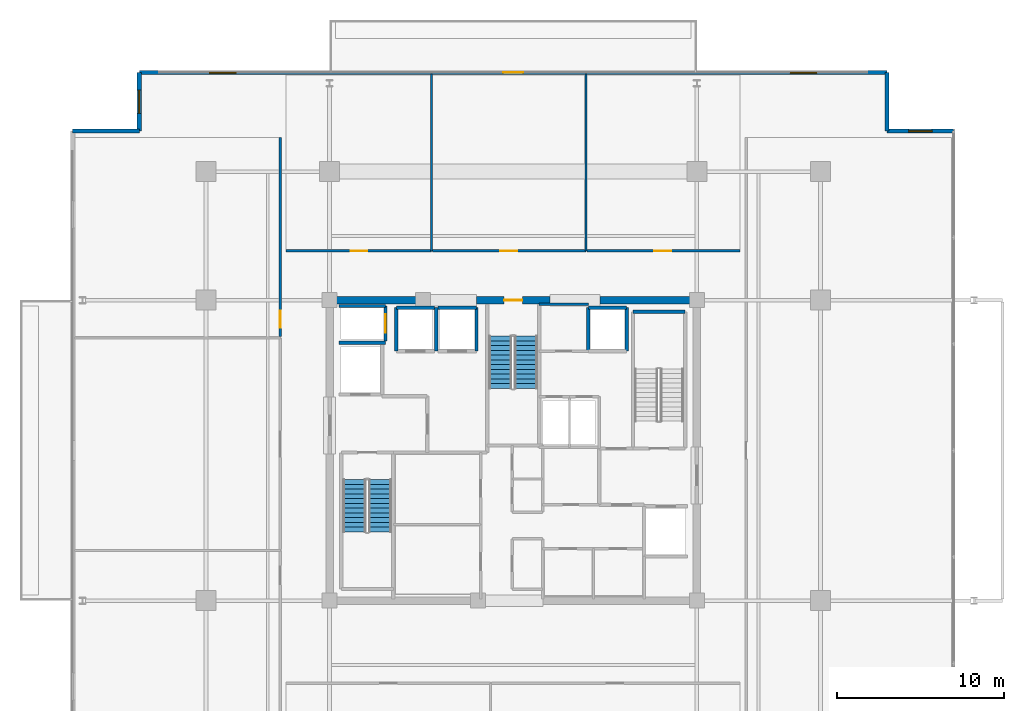
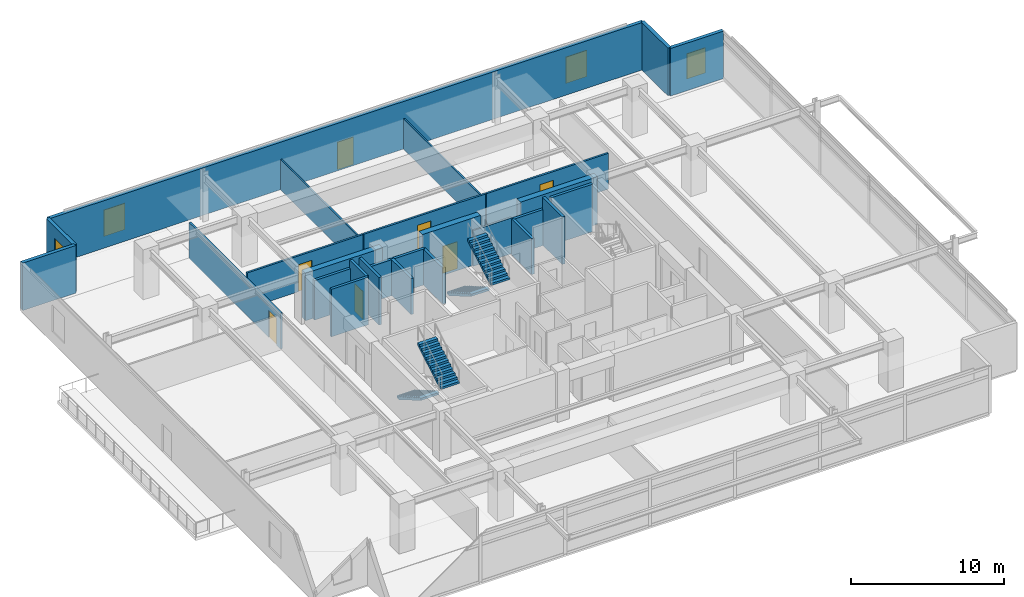
# One storey, part 14 of 19: 27 walls, 7 doors, 4 stair flights, 4 windows, 11 openings, 2 elements without a shape of their own.
"""IFC4 building model written with IfcOpenShell, lengths in metres."""

from ifc_helpers import new_model, si_unit, direction, frame, frame_2d, origin, place, context, subcontext, project, spatial, polyline, rectangle, outline, extrude, material, layer, layer_set, type_object, element, fill, aggregate, save


model = new_model("IFC4")

# Units and contexts
model_context = context("Model", 3, precision=1e-05, world=origin(), true_north=direction((0.0, 1.0)))
body_context = subcontext(model_context, "Body", "Model", "MODEL_VIEW")
ifc_project = project(units=[si_unit("LENGTHUNIT", "METRE"), si_unit("AREAUNIT", "SQUARE_METRE"), si_unit("VOLUMEUNIT", "CUBIC_METRE"), si_unit("PLANEANGLEUNIT", "RADIAN"), si_unit("MASSUNIT", "GRAM", prefix="KILO")], contexts=[model_context])

# Site, building, storey
site_placement = place(None, origin())
site = spatial("IfcSite", under=ifc_project, at=site_placement, CompositionType="ELEMENT")
building_placement = place(site_placement, origin())
building = spatial("IfcBuilding", under=site, at=building_placement, Name="Kovane Verandah Tower", CompositionType="ELEMENT")
storey_placement = place(building_placement, frame((0.0, 0.0, 255.199951171875)))
storey = spatial("IfcBuildingStorey", under=building, at=storey_placement, Name="L59", CompositionType="ELEMENT", Elevation=255.199951171875)

# Wall
ifc_material_1 = material(Name="Fire-Rated Gypsum Stud Partition", Category="gypsum")
ifc_layer_1 = layer(ifc_material_1, 0.14990234375)
ifc_layer_set_1 = layer_set([ifc_layer_1], Name="Fire-Rated Gypsum Stud Partition")
wall_type_1 = type_object("IfcWallType", Name="WL-COR-150", PredefinedType="PARTITIONING", material=ifc_layer_set_1)
wall_1_placement = place(storey_placement, frame((41.56005859375, 36.25, 0.0), z_axis=(0.0, 0.0, 1.0), x_axis=(1.0, 0.0, 0.0)))
element("IfcWall", 1, at=wall_1_placement, inside=storey, type_object=wall_type_1, Name="L59 Sky Telecom Riser North Wall", PredefinedType="PARTITIONING", context=body_context, shape_type="SweptSolid", body=[
    extrude(rectangle(XDim=2.93994140625, YDim=0.14990234375, at=frame_2d((1.469970703125, 0.0))), origin(), (0.0, 0.0, 1.0), 2.85009765625),
])

# Wall, opening, door
wall_2_placement = place(storey_placement, frame((26.39990234375, 39.449951171875, 0.0), z_axis=(0.0, 0.0, 1.0), x_axis=(1.0, 0.0, 0.0)))
wall_2 = element("IfcWall", 2, at=wall_2_placement, inside=storey, type_object=wall_type_1, Name="L59 Focus Studio N1 Corridor Partition", PredefinedType="PARTITIONING", context=body_context, shape_type="SweptSolid", body=[
    extrude(rectangle(XDim=8.7041015625, YDim=0.14990234375, at=frame_2d((4.35205078125, 0.0))), origin(), (0.0, 0.0, 1.0), 2.85009765625),
])
opening_1_placement = place(wall_2_placement, frame((3.866943359375, 0.0, 0.0)))
opening_1 = element("IfcOpeningElement", 3, at=opening_1_placement, cuts=wall_2, Name="Opening DR-L59-020", PredefinedType="OPENING", context=body_context, shape_type="SweptSolid", body=[
    extrude(rectangle(XDim=1.0, YDim=2.14990234375, at=frame_2d((0.5, 1.074951171875))), frame((0.0, 0.074951171875, 0.0), z_axis=(0.0, -1.0, 0.0), x_axis=(1.0, 0.0, 0.0)), (0.0, 0.0, 1.0), 0.14990234375),
])
ifc_material_2 = material(Name="FSC Spotted-Gum Timber Fire-Rated Office Door", Category="wood")
door_type_1 = type_object("IfcDoorType", Name="DR-OFF-1000", OperationType="SINGLE_SWING_LEFT", PredefinedType="DOOR", material=ifc_material_2)
door_1_placement = place(opening_1_placement, origin())
door_1 = element("IfcDoor", 4, at=door_1_placement, inside=storey, type_object=door_type_1, Name="L59 Focus Studio N1 Entrance Door", OperationType="SINGLE_SWING_RIGHT", OverallHeight=2.14990234375, OverallWidth=1.0, PredefinedType="DOOR", context=body_context, shape_type="SweptSolid", body=[
    extrude(rectangle(XDim=1.0, YDim=2.14990234375, at=frame_2d((0.5, 1.074951171875))), frame((0.0, 0.02490234375, 0.0), z_axis=(0.0, -1.0, 0.0), x_axis=(1.0, 0.0, 0.0)), (0.0, 0.0, 1.0), 0.050048828125),
])
fill(opening_1, door_1)

wall_3_placement = place(storey_placement, frame((35.174072265625, 39.449951171875, 0.0), z_axis=(0.0, 0.0, 1.0), x_axis=(1.0, 0.0, 0.0)))
wall_3 = element("IfcWall", 5, at=wall_3_placement, inside=storey, type_object=wall_type_1, Name="L59 Breakout Pantry N2 Corridor Partition", PredefinedType="PARTITIONING", context=body_context, shape_type="SweptSolid", body=[
    extrude(rectangle(XDim=9.177978515625, YDim=0.14990234375, at=frame_2d((4.5888671875, 0.0))), origin(), (0.0, 0.0, 1.0), 2.85009765625),
])
opening_2_placement = place(wall_3_placement, frame((4.053955078125, 0.0, 0.0)))
opening_2 = element("IfcOpeningElement", 6, at=opening_2_placement, cuts=wall_3, Name="Opening DR-L59-021", PredefinedType="OPENING", context=body_context, shape_type="SweptSolid", body=[
    extrude(rectangle(XDim=1.0, YDim=2.14990234375, at=frame_2d((0.5, 1.074951171875))), frame((0.0, 0.074951171875, 0.0), z_axis=(0.0, -1.0, 0.0), x_axis=(1.0, 0.0, 0.0)), (0.0, 0.0, 1.0), 0.14990234375),
])
door_2_placement = place(opening_2_placement, origin())
door_2 = element("IfcDoor", 7, at=door_2_placement, inside=storey, type_object=door_type_1, Name="L59 Breakout Pantry N2 Entrance Door", OperationType="SINGLE_SWING_LEFT", OverallHeight=2.14990234375, OverallWidth=1.0, PredefinedType="DOOR", context=body_context, shape_type="SweptSolid", body=[
    extrude(rectangle(XDim=1.0, YDim=2.14990234375, at=frame_2d((0.5, 1.074951171875))), frame((0.0, 0.02490234375, 0.0), z_axis=(0.0, -1.0, 0.0), x_axis=(1.0, 0.0, 0.0)), (0.0, 0.0, 1.0), 0.050048828125),
])
fill(opening_2, door_2)

wall_4_placement = place(storey_placement, frame((44.422119140625, 39.449951171875, 0.0), z_axis=(0.0, 0.0, 1.0), x_axis=(1.0, 0.0, 0.0)))
wall_4 = element("IfcWall", 8, at=wall_4_placement, inside=storey, type_object=wall_type_1, Name="L59 Collaboration Hub N3 Corridor Partition", PredefinedType="PARTITIONING", context=body_context, shape_type="SweptSolid", body=[
    extrude(rectangle(XDim=9.177978515625, YDim=0.14990234375, at=frame_2d((4.5888671875, 0.0))), origin(), (0.0, 0.0, 1.0), 2.85009765625),
])
opening_3_placement = place(wall_4_placement, frame((4.0390625, 0.0, 0.0)))
opening_3 = element("IfcOpeningElement", 9, at=opening_3_placement, cuts=wall_4, Name="Opening DR-L59-022", PredefinedType="OPENING", context=body_context, shape_type="SweptSolid", body=[
    extrude(rectangle(XDim=1.0, YDim=2.14990234375, at=frame_2d((0.5, 1.074951171875))), frame((0.0, 0.074951171875, 0.0), z_axis=(0.0, -1.0, 0.0), x_axis=(1.0, 0.0, 0.0)), (0.0, 0.0, 1.0), 0.14990234375),
])
door_3_placement = place(opening_3_placement, origin())
door_3 = element("IfcDoor", 10, at=door_3_placement, inside=storey, type_object=door_type_1, Name="L59 Collaboration Hub N3 Entrance Door", OperationType="SINGLE_SWING_RIGHT", OverallHeight=2.14990234375, OverallWidth=1.0, PredefinedType="DOOR", context=body_context, shape_type="SweptSolid", body=[
    extrude(rectangle(XDim=1.0, YDim=2.14990234375, at=frame_2d((0.5, 1.074951171875))), frame((0.0, 0.02490234375, 0.0), z_axis=(0.0, -1.0, 0.0), x_axis=(1.0, 0.0, 0.0)), (0.0, 0.0, 1.0), 0.050048828125),
])
fill(opening_3, door_3)

wall_5_placement = place(storey_placement, frame((26.050048828125, 34.3154296875, 0.0), z_axis=(0.0, 0.0, 1.0), x_axis=(0.0, 1.0, 0.0)))
wall_5 = element("IfcWall", 11, at=wall_5_placement, inside=storey, type_object=wall_type_1, Name="L59 Meeting Room W3 Corridor Partition", PredefinedType="PARTITIONING", context=body_context, shape_type="SweptSolid", body=[
    extrude(rectangle(XDim=11.922119140625, YDim=0.14990234375, at=frame_2d((5.9609375, 0.0))), origin(), (0.0, 0.0, 1.0), 2.85009765625),
])
opening_4_placement = place(wall_5_placement, frame((0.542236328125, 0.0, 0.0)))
opening_4 = element("IfcOpeningElement", 12, at=opening_4_placement, cuts=wall_5, Name="Opening DR-L59-030", PredefinedType="OPENING", context=body_context, shape_type="SweptSolid", body=[
    extrude(rectangle(XDim=1.0, YDim=2.14990234375, at=frame_2d((0.5, 1.074951171875))), frame((0.0, 0.074951171875, 0.0), z_axis=(0.0, -1.0, 0.0), x_axis=(1.0, 0.0, 0.0)), (0.0, 0.0, 1.0), 0.14990234375),
])
door_4_placement = place(opening_4_placement, origin())
door_4 = element("IfcDoor", 13, at=door_4_placement, inside=storey, type_object=door_type_1, Name="L59 Meeting Room W3 Entrance Door", OperationType="SINGLE_SWING_LEFT", OverallHeight=2.14990234375, OverallWidth=1.0, PredefinedType="DOOR", context=body_context, shape_type="SweptSolid", body=[
    extrude(rectangle(XDim=1.0, YDim=2.14990234375, at=frame_2d((0.5, 1.074951171875))), frame((0.0, 0.02490234375, 0.0), z_axis=(0.0, -1.0, 0.0), x_axis=(1.0, 0.0, 0.0)), (0.0, 0.0, 1.0), 0.050048828125),
])
fill(opening_4, door_4)

# Wall
ifc_material_3 = material(Name="Concrete C60/75", Category="concrete")
ifc_layer_2 = layer(ifc_material_3, 0.449951171875)
ifc_layer_set_2 = layer_set([ifc_layer_2], Name="Concrete C60/75")
wall_type_2 = type_object("IfcWallType", Name="WL-CORE-450", PredefinedType="SHEAR", material=ifc_layer_set_2)
wall_6_placement = place(storey_placement, frame((29.0, 36.5, 0.0), z_axis=(0.0, 0.0, 1.0), x_axis=(1.0, 0.0, 0.0)))
element("IfcWall", 14, at=wall_6_placement, inside=storey, type_object=wall_type_2, Name="L59 Core Shear Wall CN-1", PredefinedType="SHEAR", context=body_context, shape_type="SweptSolid", body=[
    extrude(rectangle(XDim=5.800048828125, YDim=0.449951171875, at=frame_2d((2.89990234375, 0.0))), origin(), (0.0, 0.0, 1.0), 3.78515625),
])

# Wall, opening, door
wall_7_placement = place(storey_placement, frame((37.800048828125, 36.5, 0.0), z_axis=(0.0, 0.0, 1.0), x_axis=(1.0, 0.0, 0.0)))
wall_7 = element("IfcWall", 15, at=wall_7_placement, inside=storey, type_object=wall_type_2, Name="L59 Core Shear Wall CN-2", PredefinedType="SHEAR", context=body_context, shape_type="SweptSolid", body=[
    extrude(rectangle(XDim=4.39990234375, YDim=0.449951171875, at=frame_2d((2.199951171875, 0.0))), origin(), (0.0, 0.0, 1.0), 3.78515625),
])
opening_5_placement = place(wall_7_placement, frame((1.64990234375, 0.0, 0.0)))
opening_5 = element("IfcOpeningElement", 16, at=opening_5_placement, cuts=wall_7, Name="Opening DR-L59-010", PredefinedType="OPENING", context=body_context, shape_type="SweptSolid", body=[
    extrude(rectangle(XDim=1.10009765625, YDim=2.14990234375, at=frame_2d((0.550048828125, 1.074951171875))), frame((0.0, 0.22509765625, 0.0), z_axis=(0.0, -1.0, 0.0), x_axis=(1.0, 0.0, 0.0)), (0.0, 0.0, 1.0), 0.449951171875),
])
ifc_material_4 = material(Name="Fire-Rated Steel Exit Door", Category="steel")
door_type_2 = type_object("IfcDoorType", Name="DR-STAIR-1100", OperationType="SINGLE_SWING_LEFT", PredefinedType="DOOR", material=ifc_material_4)
door_5_placement = place(opening_5_placement, origin())
door_5 = element("IfcDoor", 17, at=door_5_placement, inside=storey, type_object=door_type_2, Name="L59 ST-03 Fire Exit Stair Door", OperationType="SINGLE_SWING_RIGHT", OverallHeight=2.14990234375, OverallWidth=1.10009765625, PredefinedType="DOOR", context=body_context, shape_type="SweptSolid", body=[
    extrude(rectangle(XDim=1.10009765625, YDim=2.14990234375, at=frame_2d((0.550048828125, 1.074951171875))), frame((0.0, 0.02490234375, 0.0), z_axis=(0.0, -1.0, 0.0), x_axis=(1.0, 0.0, 0.0)), (0.0, 0.0, 1.0), 0.050048828125),
])
fill(opening_5, door_5)

# Walls
wall_8_placement = place(storey_placement, frame((45.199951171875, 36.5, 0.0), z_axis=(0.0, 0.0, 1.0), x_axis=(1.0, 0.0, 0.0)))
element("IfcWall", 18, at=wall_8_placement, inside=storey, type_object=wall_type_2, Name="L59 Core Shear Wall CN-3", PredefinedType="SHEAR", context=body_context, shape_type="SweptSolid", body=[
    extrude(rectangle(XDim=5.800048828125, YDim=0.449951171875, at=frame_2d((2.89990234375, 0.0))), origin(), (0.0, 0.0, 1.0), 3.78515625),
])
ifc_material_5 = material(Name="Concrete C45/55 Lift Shaft Wall", Category="concrete")
ifc_layer_3 = layer(ifc_material_5, 0.199951171875)
ifc_layer_set_3 = layer_set([ifc_layer_3], Name="Concrete C45/55 Lift Shaft Wall")
wall_type_3 = type_object("IfcWallType", Name="WL-LIFT-200", PredefinedType="SOLIDWALL", material=ifc_layer_set_3)
wall_9_placement = place(storey_placement, frame((29.550048828125, 33.949951171875, 0.0), z_axis=(0.0, 0.0, 1.0), x_axis=(1.0, 0.0, 0.0)))
element("IfcWall", 19, at=wall_9_placement, inside=storey, type_object=wall_type_3, Name="L59 Lift FL-01 and GL-01 Shared Shaft Wall", PredefinedType="SOLIDWALL", context=body_context, shape_type="SweptSolid", body=[
    extrude(rectangle(XDim=2.800048828125, YDim=0.199951171875, at=frame_2d((1.39990234375, 0.0))), origin(), (0.0, 0.0, 1.0), 3.78515625),
])
wall_10_placement = place(storey_placement, frame((32.35009765625, 36.14990234375, 0.0), z_axis=(0.0, 0.0, 1.0), x_axis=(-1.0, 0.0, 0.0)))
element("IfcWall", 20, at=wall_10_placement, inside=storey, type_object=wall_type_3, Name="L59 Lift GL-01 N Shaft Wall", PredefinedType="SOLIDWALL", context=body_context, shape_type="SweptSolid", body=[
    extrude(rectangle(XDim=2.800048828125, YDim=0.199951171875, at=frame_2d((1.39990234375, 0.0))), origin(), (0.0, 0.0, 1.0), 3.14794921875),
])

# Wall, opening, door
wall_11_placement = place(storey_placement, frame((32.35009765625, 34.050048828125, 0.0), z_axis=(0.0, 0.0, 1.0), x_axis=(0.0, 1.0, 0.0)))
wall_11 = element("IfcWall", 21, at=wall_11_placement, inside=storey, type_object=wall_type_3, Name="L59 Lift GL-01 E Shaft Wall", PredefinedType="SOLIDWALL", context=body_context, shape_type="SweptSolid", body=[
    extrude(rectangle(XDim=2.099853515625, YDim=0.199951171875, at=frame_2d((1.0498046875, 0.0))), origin(), (0.0, 0.0, 1.0), 3.78515625),
])
opening_6_placement = place(wall_11_placement, frame((0.5, 0.0, 0.0)))
opening_6 = element("IfcOpeningElement", 22, at=opening_6_placement, cuts=wall_11, Name="Opening LD-L59-003", PredefinedType="OPENING", context=body_context, shape_type="SweptSolid", body=[
    extrude(rectangle(XDim=1.10009765625, YDim=2.199951171875, at=frame_2d((0.550048828125, 1.10009765625))), frame((0.0, 0.10009765625, 0.0), z_axis=(0.0, -1.0, 0.0), x_axis=(1.0, 0.0, 0.0)), (0.0, 0.0, 1.0), 0.199951171875),
])
ifc_material_6 = material(Name="Brushed Stainless Steel Sliding Lift Landing Door", Category="steel")
door_type_3 = type_object("IfcDoorType", Name="DR-LIFT-1100", OperationType="SLIDING_TO_RIGHT", PredefinedType="DOOR", material=ifc_material_6)
door_6_placement = place(opening_6_placement, origin())
door_6 = element("IfcDoor", 23, at=door_6_placement, inside=storey, type_object=door_type_3, Name="L59 Lift GL-01 Sliding Landing Door", OperationType="SLIDING_TO_RIGHT", OverallHeight=2.199951171875, OverallWidth=1.10009765625, PredefinedType="DOOR", context=body_context, shape_type="SweptSolid", body=[
    extrude(rectangle(XDim=1.10009765625, YDim=2.199951171875, at=frame_2d((0.550048828125, 1.10009765625))), frame((0.0, 0.02490234375, 0.0), z_axis=(0.0, -1.0, 0.0), x_axis=(1.0, 0.0, 0.0)), (0.0, 0.0, 1.0), 0.050048828125),
])
fill(opening_6, door_6)

# Walls
wall_12_placement = place(storey_placement, frame((35.300048828125, 36.050048828125, 0.0), z_axis=(0.0, 0.0, 1.0), x_axis=(-1.0, 0.0, 0.0)))
element("IfcWall", 24, at=wall_12_placement, inside=storey, type_object=wall_type_3, Name="L59 Lift PL-H1 N Shaft Wall", PredefinedType="SOLIDWALL", context=body_context, shape_type="SweptSolid", body=[
    extrude(rectangle(XDim=2.300048828125, YDim=0.199951171875, at=frame_2d((1.14990234375, 0.0))), origin(), (0.0, 0.0, 1.0), 2.864990234375),
])
wall_13_placement = place(storey_placement, frame((33.0, 36.050048828125, 0.0), z_axis=(0.0, 0.0, 1.0), x_axis=(0.0, -1.0, 0.0)))
element("IfcWall", 25, at=wall_13_placement, inside=storey, type_object=wall_type_3, Name="L59 Lift PL-H1 W Shaft Wall", PredefinedType="SOLIDWALL", context=body_context, shape_type="SweptSolid", body=[
    extrude(rectangle(XDim=2.60009765625, YDim=0.199951171875, at=frame_2d((1.300048828125, 0.0))), origin(), (0.0, 0.0, 1.0), 3.78515625),
])
wall_14_placement = place(storey_placement, frame((35.39990234375, 33.449951171875, 0.0), z_axis=(0.0, 0.0, 1.0), x_axis=(0.0, 1.0, 0.0)))
element("IfcWall", 26, at=wall_14_placement, inside=storey, type_object=wall_type_3, Name="L59 Lift PL-H1 and PL-H2 Shared Shaft Wall", PredefinedType="SOLIDWALL", context=body_context, shape_type="SweptSolid", body=[
    extrude(rectangle(XDim=2.60009765625, YDim=0.199951171875, at=frame_2d((1.300048828125, 0.0))), origin(), (0.0, 0.0, 1.0), 2.864990234375),
])
wall_15_placement = place(storey_placement, frame((37.800048828125, 36.050048828125, 0.0), z_axis=(0.0, 0.0, 1.0), x_axis=(-1.0, 0.0, 0.0)))
element("IfcWall", 27, at=wall_15_placement, inside=storey, type_object=wall_type_3, Name="L59 Lift PL-H2 N Shaft Wall", PredefinedType="SOLIDWALL", context=body_context, shape_type="SweptSolid", body=[
    extrude(rectangle(XDim=2.300048828125, YDim=0.199951171875, at=frame_2d((1.14990234375, 0.0))), origin(), (0.0, 0.0, 1.0), 2.864990234375),
])
wall_16_placement = place(storey_placement, frame((37.800048828125, 33.449951171875, 0.0), z_axis=(0.0, 0.0, 1.0), x_axis=(0.0, 1.0, 0.0)))
element("IfcWall", 28, at=wall_16_placement, inside=storey, type_object=wall_type_3, Name="L59 Lift PL-H2 E Shaft Wall", PredefinedType="SOLIDWALL", context=body_context, shape_type="SweptSolid", body=[
    extrude(rectangle(XDim=2.60009765625, YDim=0.199951171875, at=frame_2d((1.300048828125, 0.0))), origin(), (0.0, 0.0, 1.0), 2.864990234375),
])
wall_17_placement = place(storey_placement, frame((46.800048828125, 36.050048828125, 0.0), z_axis=(0.0, 0.0, 1.0), x_axis=(-1.0, 0.0, 0.0)))
element("IfcWall", 29, at=wall_17_placement, inside=storey, type_object=wall_type_3, Name="L59 Lift OL-01 N Shaft Wall", PredefinedType="SOLIDWALL", context=body_context, shape_type="SweptSolid", body=[
    extrude(rectangle(XDim=2.300048828125, YDim=0.199951171875, at=frame_2d((1.14990234375, 0.0))), origin(), (0.0, 0.0, 1.0), 2.864990234375),
])
wall_18_placement = place(storey_placement, frame((44.5, 36.050048828125, 0.0), z_axis=(0.0, 0.0, 1.0), x_axis=(0.0, -1.0, 0.0)))
element("IfcWall", 30, at=wall_18_placement, inside=storey, type_object=wall_type_3, Name="L59 Lift OL-01 W Shaft Wall", PredefinedType="SOLIDWALL", context=body_context, shape_type="SweptSolid", body=[
    extrude(rectangle(XDim=2.60009765625, YDim=0.199951171875, at=frame_2d((1.300048828125, 0.0))), origin(), (0.0, 0.0, 1.0), 2.864990234375),
])
wall_19_placement = place(storey_placement, frame((46.800048828125, 33.449951171875, 0.0), z_axis=(0.0, 0.0, 1.0), x_axis=(0.0, 1.0, 0.0)))
element("IfcWall", 31, at=wall_19_placement, inside=storey, type_object=wall_type_3, Name="L59 Lift OL-01 E Shaft Wall", PredefinedType="SOLIDWALL", context=body_context, shape_type="SweptSolid", body=[
    extrude(rectangle(XDim=2.60009765625, YDim=0.199951171875, at=frame_2d((1.300048828125, 0.0))), origin(), (0.0, 0.0, 1.0), 3.78515625),
])
ifc_material_7 = material(Name="Acoustic Fire-Rated Gypsum Partition", Category="gypsum")
ifc_layer_4 = layer(ifc_material_7, 0.1201171875)
ifc_layer_set_4 = layer_set([ifc_layer_4], Name="Acoustic Fire-Rated Gypsum Partition")
wall_type_4 = type_object("IfcWallType", Name="WL-PART-120", PredefinedType="PARTITIONING", material=ifc_layer_set_4)
for number, where, z_axis, x_axis, name in (
    (32, (35.10400390625, 39.449951171875, 0.0), (0.0, 0.0, 1.0), (0.0, 1.0, 0.0), "L59 Focus Studio N1 Dividing Partition"),
    (33, (44.35205078125, 39.449951171875, 0.0), (0.0, 0.0, 1.0), (0.0, 1.0, 0.0), "L59 Breakout Pantry N2 Dividing Partition"),
):
    element("IfcWall", number, at=place(storey_placement, frame(where, z_axis=z_axis, x_axis=x_axis)), inside=storey, type_object=wall_type_4, Name=name, PredefinedType="PARTITIONING", context=body_context, shape_type="SweptSolid", body=[
        extrude(rectangle(XDim=10.587646484375, YDim=0.1201171875, at=frame_2d((5.2939453125, 0.0))), origin(), (0.0, 0.0, 1.0), 2.4150390625),
    ])
ifc_material_8 = material(Name="Concrete C45/55", Category="concrete")
ifc_layer_5 = layer(ifc_material_8, 0.199951171875)
ifc_layer_set_5 = layer_set([ifc_layer_5], Name="Concrete C45/55")
wall_type_5 = type_object("IfcWallType", Name="WL-SHAFT-200", PredefinedType="SOLIDWALL", material=ifc_layer_set_5)
wall_20_placement = place(storey_placement, frame((47.179931640625, 35.800048828125, 0.0), z_axis=(0.0, 0.0, 1.0), x_axis=(1.0, 0.0, 0.0)))
element("IfcWall", 34, at=wall_20_placement, inside=storey, type_object=wall_type_5, Name="W-L59-ST02-N", PredefinedType="SOLIDWALL", context=body_context, shape_type="SweptSolid", body=[
    extrude(rectangle(XDim=3.1201171875, YDim=0.199951171875, at=frame_2d((1.56005859375, 0.0))), origin(), (0.0, 0.0, 1.0), 3.78515625),
])

# Wall, openings, door, windows
ifc_material_9 = material(Name="Concrete C45/55 Insulated Spandrel Wall", Category="concrete")
ifc_layer_6 = layer(ifc_material_9, 0.260009765625)
ifc_layer_set_6 = layer_set([ifc_layer_6], Name="Concrete C45/55 Insulated Spandrel Wall")
wall_type_6 = type_object("IfcWallType", Name="WL-SPANDREL-260", PredefinedType="PARAPET", material=ifc_layer_set_6)
wall_21_placement = place(storey_placement, frame((62.396240234375, 50.1376953125, 0.0), z_axis=(0.0, 0.0, 1.0), x_axis=(-1.0, 0.0, 0.0)))
wall_21 = element("IfcWall", 35, at=wall_21_placement, inside=storey, type_object=wall_type_6, Name="L59 N Verandah Access Facade Wall", PredefinedType="PARAPET", context=body_context, shape_type="SweptSolid", body=[
    extrude(rectangle(XDim=44.79248046875, YDim=0.260009765625, at=frame_2d((22.396240234375, 0.0))), origin(), (0.0, 0.0, 1.0), 3.78515625),
])
opening_7_placement = place(wall_21_placement, frame((4.199951171875, 0.0, 0.85009765625)))
opening_7 = element("IfcOpeningElement", 36, at=opening_7_placement, cuts=wall_21, Name="Opening W-02", PredefinedType="OPENING", context=body_context, shape_type="SweptSolid", body=[
    extrude(rectangle(XDim=1.60009765625, YDim=2.10009765625, at=frame_2d((0.800048828125, 1.050048828125))), frame((0.0, 0.1298828125, 0.0), z_axis=(0.0, -1.0, 0.0), x_axis=(1.0, 0.0, 0.0)), (0.0, 0.0, 1.0), 0.260009765625),
])
opening_8_placement = place(wall_21_placement, frame((21.79638671875, 0.0, 0.0)))
opening_8 = element("IfcOpeningElement", 37, at=opening_8_placement, cuts=wall_21, Name="Opening DR-L59-001", PredefinedType="OPENING", context=body_context, shape_type="SweptSolid", body=[
    extrude(rectangle(XDim=1.199951171875, YDim=2.199951171875, at=frame_2d((0.60009765625, 1.10009765625))), frame((0.0, 0.1298828125, 0.0), z_axis=(0.0, -1.0, 0.0), x_axis=(1.0, 0.0, 0.0)), (0.0, 0.0, 1.0), 0.260009765625),
])
opening_9_placement = place(wall_21_placement, frame((38.99267578125, 0.0, 0.85009765625)))
opening_9 = element("IfcOpeningElement", 38, at=opening_9_placement, cuts=wall_21, Name="Opening W-02", PredefinedType="OPENING", context=body_context, shape_type="SweptSolid", body=[
    extrude(rectangle(XDim=1.60009765625, YDim=2.10009765625, at=frame_2d((0.800048828125, 1.050048828125))), frame((0.0, 0.1298828125, 0.0), z_axis=(0.0, -1.0, 0.0), x_axis=(1.0, 0.0, 0.0)), (0.0, 0.0, 1.0), 0.260009765625),
])
ifc_material_10 = material(Name="Cyclone-Rated Glazed Balcony Leaf Door", Category="aluminium")
door_type_4 = type_object("IfcDoorType", Name="DR-BAL-1200x2200", OperationType="SINGLE_SWING_LEFT", PredefinedType="DOOR", material=ifc_material_10)
door_7_placement = place(opening_8_placement, origin())
door_7 = element("IfcDoor", 39, at=door_7_placement, inside=storey, type_object=door_type_4, Name="L59 N Planted Balcony Access Door", OperationType="SINGLE_SWING_LEFT", OverallHeight=2.199951171875, OverallWidth=1.199951171875, PredefinedType="DOOR", context=body_context, shape_type="SweptSolid", body=[
    extrude(rectangle(XDim=1.199951171875, YDim=2.199951171875, at=frame_2d((0.60009765625, 1.10009765625))), frame((0.0, 0.02490234375, 0.0), z_axis=(0.0, -1.0, 0.0), x_axis=(1.0, 0.0, 0.0)), (0.0, 0.0, 1.0), 0.050048828125),
])
fill(opening_8, door_7)
ifc_material_11 = material(Name="Clear Low-E Laminated Double Glazing in Anodised Frame", Category="glass")
window_type_1 = type_object("IfcWindowType", Name="WN-OPER-1600x2100", PartitioningType="SINGLE_PANEL", PredefinedType="WINDOW", material=ifc_material_11)
window_1_placement = place(opening_7_placement, origin())
window_1 = element("IfcWindow", 40, at=window_1_placement, inside=storey, type_object=window_type_1, Name="L59 N Verandah View Window 1", OverallHeight=2.10009765625, OverallWidth=1.60009765625, PartitioningType="SINGLE_PANEL", PredefinedType="WINDOW", context=body_context, shape_type="SweptSolid", body=[
    extrude(rectangle(XDim=1.60009765625, YDim=2.10009765625, at=frame_2d((0.800048828125, 1.050048828125))), frame((0.0, 0.030029296875, 0.0), z_axis=(0.0, -1.0, 0.0), x_axis=(1.0, 0.0, 0.0)), (0.0, 0.0, 1.0), 0.06005859375),
])
fill(opening_7, window_1)
window_2_placement = place(opening_9_placement, origin())
window_2 = element("IfcWindow", 41, at=window_2_placement, inside=storey, type_object=window_type_1, Name="L59 N Verandah View Window 2", OverallHeight=2.10009765625, OverallWidth=1.60009765625, PartitioningType="SINGLE_PANEL", PredefinedType="WINDOW", context=body_context, shape_type="SweptSolid", body=[
    extrude(rectangle(XDim=1.60009765625, YDim=2.10009765625, at=frame_2d((0.800048828125, 1.050048828125))), frame((0.0, 0.030029296875, 0.0), z_axis=(0.0, -1.0, 0.0), x_axis=(1.0, 0.0, 0.0)), (0.0, 0.0, 1.0), 0.06005859375),
])
fill(opening_9, window_2)

# Wall, opening, window
wall_22_placement = place(storey_placement, frame((66.396240234375, 46.6376953125, 0.0), z_axis=(0.0, 0.0, 1.0), x_axis=(-1.0, 0.0, 0.0)))
wall_22 = element("IfcWall", 42, at=wall_22_placement, inside=storey, type_object=wall_type_6, Name="L59 NE Notch Cheek Wall 1", PredefinedType="PARAPET", context=body_context, shape_type="SweptSolid", body=[
    extrude(rectangle(XDim=4.0, YDim=0.260009765625, at=frame_2d((2.0, 0.0))), origin(), (0.0, 0.0, 1.0), 3.78515625),
])
opening_10_placement = place(wall_22_placement, frame((1.300048828125, 0.0, 0.85009765625)))
opening_10 = element("IfcOpeningElement", 43, at=opening_10_placement, cuts=wall_22, Name="Opening W-01", PredefinedType="OPENING", context=body_context, shape_type="SweptSolid", body=[
    extrude(rectangle(XDim=1.39990234375, YDim=2.0, at=frame_2d((0.699951171875, 1.0))), frame((0.0, 0.1298828125, 0.0), z_axis=(0.0, -1.0, 0.0), x_axis=(1.0, 0.0, 0.0)), (0.0, 0.0, 1.0), 0.260009765625),
])
window_type_2 = type_object("IfcWindowType", Name="WN-OPER-1400x2000", PartitioningType="SINGLE_PANEL", PredefinedType="WINDOW", material=ifc_material_11)
window_3_placement = place(opening_10_placement, origin())
window_3 = element("IfcWindow", 44, at=window_3_placement, inside=storey, type_object=window_type_2, Name="L59 NE Re-Entrant Corner Operable Window", OverallHeight=2.0, OverallWidth=1.39990234375, PartitioningType="SINGLE_PANEL", PredefinedType="WINDOW", context=body_context, shape_type="SweptSolid", body=[
    extrude(rectangle(XDim=1.39990234375, YDim=2.0, at=frame_2d((0.699951171875, 1.0))), frame((0.0, 0.030029296875, 0.0), z_axis=(0.0, -1.0, 0.0), x_axis=(1.0, 0.0, 0.0)), (0.0, 0.0, 1.0), 0.06005859375),
])
fill(opening_10, window_3)

# Wall
wall_23_placement = place(storey_placement, frame((62.396240234375, 46.6376953125, 0.0), z_axis=(0.0, 0.0, 1.0), x_axis=(0.0, 1.0, 0.0)))
element("IfcWall", 45, at=wall_23_placement, inside=storey, type_object=wall_type_6, Name="L59 NE Notch Cheek Wall 2", PredefinedType="PARAPET", context=body_context, shape_type="SweptSolid", body=[
    extrude(rectangle(XDim=3.5, YDim=0.260009765625, at=frame_2d((1.75, 0.0))), origin(), (0.0, 0.0, 1.0), 3.78515625),
])

# Wall, opening, window
wall_24_placement = place(storey_placement, frame((17.603759765625, 50.1376953125, 0.0), z_axis=(0.0, 0.0, 1.0), x_axis=(0.0, -1.0, 0.0)))
wall_24 = element("IfcWall", 46, at=wall_24_placement, inside=storey, type_object=wall_type_6, Name="L59 NW Notch Cheek Wall 1", PredefinedType="PARAPET", context=body_context, shape_type="SweptSolid", body=[
    extrude(rectangle(XDim=3.5, YDim=0.260009765625, at=frame_2d((1.75, 0.0))), origin(), (0.0, 0.0, 1.0), 3.78515625),
])
opening_11_placement = place(wall_24_placement, frame((1.050048828125, 0.0, 0.85009765625)))
opening_11 = element("IfcOpeningElement", 47, at=opening_11_placement, cuts=wall_24, Name="Opening W-01", PredefinedType="OPENING", context=body_context, shape_type="SweptSolid", body=[
    extrude(rectangle(XDim=1.39990234375, YDim=2.0, at=frame_2d((0.699951171875, 1.0))), frame((0.0, 0.1298828125, 0.0), z_axis=(0.0, -1.0, 0.0), x_axis=(1.0, 0.0, 0.0)), (0.0, 0.0, 1.0), 0.260009765625),
])
window_4_placement = place(opening_11_placement, origin())
window_4 = element("IfcWindow", 48, at=window_4_placement, inside=storey, type_object=window_type_2, Name="L59 NW Re-Entrant Corner Operable Window", OverallHeight=2.0, OverallWidth=1.39990234375, PartitioningType="SINGLE_PANEL", PredefinedType="WINDOW", context=body_context, shape_type="SweptSolid", body=[
    extrude(rectangle(XDim=1.39990234375, YDim=2.0, at=frame_2d((0.699951171875, 1.0))), frame((0.0, 0.030029296875, 0.0), z_axis=(0.0, -1.0, 0.0), x_axis=(1.0, 0.0, 0.0)), (0.0, 0.0, 1.0), 0.06005859375),
])
fill(opening_11, window_4)

# Wall
wall_25_placement = place(storey_placement, frame((17.603759765625, 46.6376953125, 0.0), z_axis=(0.0, 0.0, 1.0), x_axis=(-1.0, 0.0, 0.0)))
element("IfcWall", 49, at=wall_25_placement, inside=storey, type_object=wall_type_6, Name="L59 NW Notch Cheek Wall 2", PredefinedType="PARAPET", context=body_context, shape_type="SweptSolid", body=[
    extrude(rectangle(XDim=4.0, YDim=0.260009765625, at=frame_2d((2.0, 0.0))), origin(), (0.0, 0.0, 1.0), 3.78515625),
])

# Stair, stair flights
stair_type = type_object("IfcStairType", Name="ST-CORE-1380", PredefinedType="HALF_TURN_STAIR", material=ifc_material_8)
stair_1_placement = place(storey_placement, origin())
stair_1 = element("IfcStair", 50, at=stair_1_placement, inside=storey, type_object=stair_type, Name="L59 Exit Stair ST-01", PredefinedType="HALF_TURN_STAIR")
stair_flight_type = type_object("IfcStairFlightType", Name="STF-CORE-1380", PredefinedType="STRAIGHT", material=ifc_material_8)
stair_flight_1_placement = place(storey_placement, frame((30.489990234375, 25.75, 0.0), z_axis=(0.0, 0.0, 1.0), x_axis=(0.0, -1.0, 0.0)))
stair_flight_1 = element("IfcStairFlight", 51, at=stair_flight_1_placement, type_object=stair_flight_type, Name="ST-01 flight 1", NumberOfRisers=12, NumberOfTreads=11, PredefinedType="STRAIGHT", RiserHeight=0.166666667, TreadLength=0.285, context=body_context, shape_type="SweptSolid", body=[
    extrude(outline(polyline([(0.0, 0.0), (0.0, 0.166748046875), (0.284912109375, 0.166748046875), (0.284912109375, 0.333251953125), (0.570068359375, 0.333251953125), (0.570068359375, 0.5), (0.85498046875, 0.5), (0.85498046875, 0.666748046875), (1.139892578125, 0.666748046875), (1.139892578125, 0.833251953125), (1.425048828125, 0.833251953125), (1.425048828125, 1.0), (1.7099609375, 1.0), (1.7099609375, 1.166748046875), (1.9951171875, 1.166748046875), (1.9951171875, 1.333251953125), (2.280029296875, 1.333251953125), (2.280029296875, 1.5), (2.56494140625, 1.5), (2.56494140625, 1.666748046875), (2.85009765625, 1.666748046875), (2.85009765625, 1.833251953125), (3.135009765625, 1.833251953125), (3.135009765625, 2.0), (3.135009765625, 1.65966796875), (0.296875, 0.0), (0.0, 0.0)])), frame((0.0, 0.68994140625, 0.0), z_axis=(0.0, -1.0, 0.0), x_axis=(1.0, 0.0, 0.0)), (0.0, 0.0, 1.0), 1.3798828125),
])
stair_flight_2_placement = place(storey_placement, frame((32.030029296875, 22.614990234375, 2.0), z_axis=(0.0, 0.0, 1.0), x_axis=(0.0, 1.0, 0.0)))
stair_flight_2 = element("IfcStairFlight", 52, at=stair_flight_2_placement, type_object=stair_flight_type, Name="ST-01 flight 2", NumberOfRisers=12, NumberOfTreads=11, PredefinedType="STRAIGHT", RiserHeight=0.166666667, TreadLength=0.285, context=body_context, shape_type="SweptSolid", body=[
    extrude(outline(polyline([(0.0, 0.0), (0.0, 0.166748046875), (0.284912109375, 0.166748046875), (0.284912109375, 0.333251953125), (0.570068359375, 0.333251953125), (0.570068359375, 0.5), (0.85498046875, 0.5), (0.85498046875, 0.666748046875), (1.139892578125, 0.666748046875), (1.139892578125, 0.833251953125), (1.425048828125, 0.833251953125), (1.425048828125, 1.0), (1.7099609375, 1.0), (1.7099609375, 1.166748046875), (1.9951171875, 1.166748046875), (1.9951171875, 1.333251953125), (2.280029296875, 1.333251953125), (2.280029296875, 1.5), (2.56494140625, 1.5), (2.56494140625, 1.666748046875), (2.85009765625, 1.666748046875), (2.85009765625, 1.833251953125), (3.135009765625, 1.833251953125), (3.135009765625, 2.0), (3.135009765625, 1.65966796875), (0.296875, 0.0), (0.0, 0.0)])), frame((0.0, 0.68994140625, 0.0), z_axis=(0.0, -1.0, 0.0), x_axis=(1.0, 0.0, 0.0)), (0.0, 0.0, 1.0), 1.3798828125),
])
aggregate(stair_1, [stair_flight_1, stair_flight_2])

stair_2_placement = place(storey_placement, origin())
stair_2 = element("IfcStair", 53, at=stair_2_placement, inside=storey, type_object=stair_type, Name="L59 Exit Stair ST-03", PredefinedType="HALF_TURN_STAIR")
stair_flight_3_placement = place(storey_placement, frame((39.22998046875, 34.35009765625, 0.0), z_axis=(0.0, 0.0, 1.0), x_axis=(0.0, -1.0, 0.0)))
stair_flight_3 = element("IfcStairFlight", 54, at=stair_flight_3_placement, type_object=stair_flight_type, Name="ST-03 flight 1", NumberOfRisers=12, NumberOfTreads=11, PredefinedType="STRAIGHT", RiserHeight=0.166666667, TreadLength=0.285, context=body_context, shape_type="SweptSolid", body=[
    extrude(outline(polyline([(0.0, 0.0), (0.0, 0.166748046875), (0.284912109375, 0.166748046875), (0.284912109375, 0.333251953125), (0.570068359375, 0.333251953125), (0.570068359375, 0.5), (0.85498046875, 0.5), (0.85498046875, 0.666748046875), (1.139892578125, 0.666748046875), (1.139892578125, 0.833251953125), (1.425048828125, 0.833251953125), (1.425048828125, 1.0), (1.7099609375, 1.0), (1.7099609375, 1.166748046875), (1.9951171875, 1.166748046875), (1.9951171875, 1.333251953125), (2.280029296875, 1.333251953125), (2.280029296875, 1.5), (2.56494140625, 1.5), (2.56494140625, 1.666748046875), (2.85009765625, 1.666748046875), (2.85009765625, 1.833251953125), (3.135009765625, 1.833251953125), (3.135009765625, 2.0), (3.135009765625, 1.65966796875), (0.296875, 0.0), (0.0, 0.0)])), frame((0.0, 0.68994140625, 0.0), z_axis=(0.0, -1.0, 0.0), x_axis=(1.0, 0.0, 0.0)), (0.0, 0.0, 1.0), 1.3798828125),
])
stair_flight_4_placement = place(storey_placement, frame((40.77001953125, 31.215087890625, 2.0), z_axis=(0.0, 0.0, 1.0), x_axis=(0.0, 1.0, 0.0)))
stair_flight_4 = element("IfcStairFlight", 55, at=stair_flight_4_placement, type_object=stair_flight_type, Name="ST-03 flight 2", NumberOfRisers=12, NumberOfTreads=11, PredefinedType="STRAIGHT", RiserHeight=0.166666667, TreadLength=0.285, context=body_context, shape_type="SweptSolid", body=[
    extrude(outline(polyline([(0.0, 0.0), (0.0, 0.166748046875), (0.284912109375, 0.166748046875), (0.284912109375, 0.333251953125), (0.570068359375, 0.333251953125), (0.570068359375, 0.5), (0.85498046875, 0.5), (0.85498046875, 0.666748046875), (1.139892578125, 0.666748046875), (1.139892578125, 0.833251953125), (1.425048828125, 0.833251953125), (1.425048828125, 1.0), (1.7099609375, 1.0), (1.7099609375, 1.166748046875), (1.9951171875, 1.166748046875), (1.9951171875, 1.333251953125), (2.280029296875, 1.333251953125), (2.280029296875, 1.5), (2.56494140625, 1.5), (2.56494140625, 1.666748046875), (2.85009765625, 1.666748046875), (2.85009765625, 1.833251953125), (3.135009765625, 1.833251953125), (3.135009765625, 2.0), (3.135009765625, 1.65966796875), (0.296875, 0.0), (0.0, 0.0)])), frame((0.0, 0.68994140625, 0.0), z_axis=(0.0, -1.0, 0.0), x_axis=(1.0, 0.0, 0.0)), (0.0, 0.0, 1.0), 1.3798828125),
])
aggregate(stair_2, [stair_flight_3, stair_flight_4])

save(model, "model.ifc")
